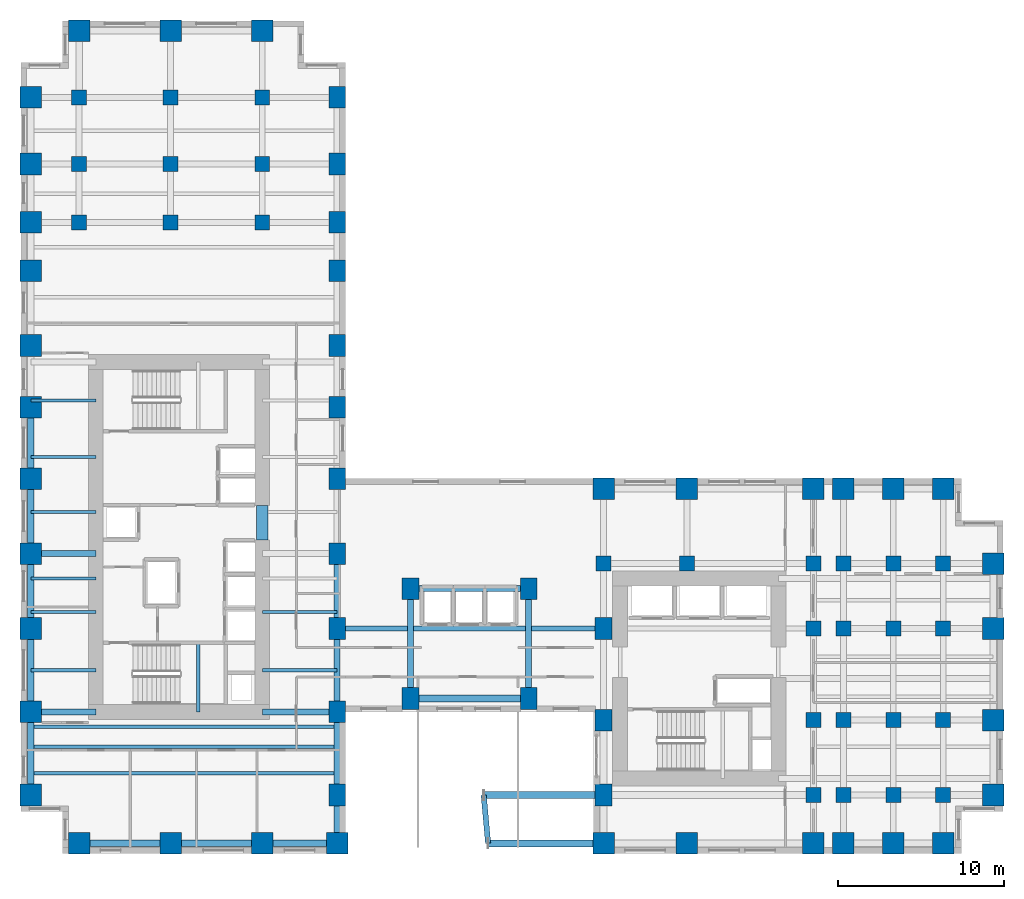
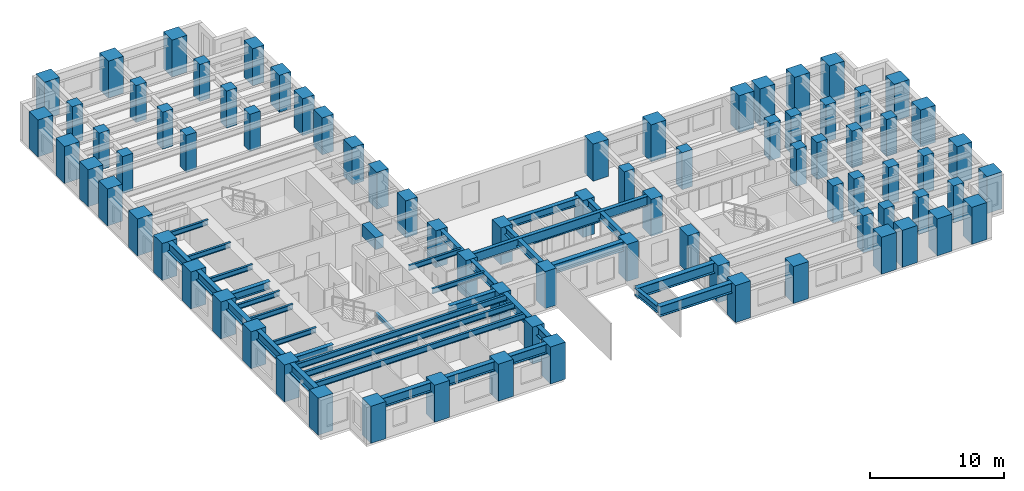
# One storey, part 1 of 14: 79 columns, 36 beams.
"""IFC4 building model written with IfcOpenShell, lengths in metres."""

from ifc_helpers import new_model, si_unit, direction, frame, origin, origin_2d, place, context, subcontext, project, spatial, rectangle, i_section, extrude, source, transform, mapped, material, material_profile, profile_set, type_object, element, save


model = new_model("IFC4")

# Units and contexts
model_context = context("Model", 3, precision=1e-05, world=origin(), true_north=direction((0.0, 1.0)))
body_context = subcontext(model_context, "Body", "Model", "MODEL_VIEW")
ifc_project = project(units=[si_unit("LENGTHUNIT", "METRE"), si_unit("AREAUNIT", "SQUARE_METRE"), si_unit("VOLUMEUNIT", "CUBIC_METRE"), si_unit("PLANEANGLEUNIT", "RADIAN"), si_unit("MASSUNIT", "GRAM", prefix="KILO")], contexts=[model_context])

# Site, building, storey
site_placement = place(None, origin())
site = spatial("IfcSite", under=ifc_project, at=site_placement, CompositionType="ELEMENT")
building_placement = place(site_placement, origin())
building = spatial("IfcBuilding", under=site, at=building_placement, Name="Kharzan Plaza Tower", CompositionType="ELEMENT")
storey_placement = place(building_placement, frame((0.0, 0.0, 29.699951171875)))
storey = spatial("IfcBuildingStorey", under=building, at=storey_placement, Name="L07", CompositionType="ELEMENT", Elevation=29.699951171875)

# Columns
ifc_material_1 = material(Name="Concrete C50/60", Category="concrete")
ifc_material_profile_1 = material_profile(ifc_material_1, rectangle(XDim=0.89990234375, YDim=0.89990234375, at=origin_2d()), Name="RC-IC900x900")
ifc_profile_set_1 = profile_set([ifc_material_profile_1], Name="Concrete C50/60")
column_type_1 = type_object("IfcColumnType", Name="COL-IC900", PredefinedType="COLUMN", material=ifc_profile_set_1)
shared_shape_1 = source(origin(), body_context, "Body", "SweptSolid", [
    extrude(rectangle(XDim=0.89990234375, YDim=0.89990234375, at=origin_2d()), origin(), (0.0, 0.0, 1.0), 3.380126953125),
])
for number, where, z_axis, x_axis, name in (
    (1, (47.60009765625, 13.5, 0.0), (0.0, 0.0, 1.0), (1.0, 0.0, 0.0), "L07 Structural Column TCBI-135"),
    (2, (47.60009765625, 3.5, 0.0), (0.0, 0.0, 1.0), (1.0, 0.0, 0.0), "L07 Structural Column TCBI-35"),
    (3, (47.60009765625, 8.0, 0.0), (0.0, 0.0, 1.0), (1.0, 0.0, 0.0), "L07 Structural Column TCBI-80"),
    (4, (35.0, 17.39990234375, 0.0), (0.0, 0.0, 1.0), (1.0, 0.0, 0.0), "L07 Structural Column TCBN-350-174"),
    (5, (40.0, 17.39990234375, 0.0), (0.0, 0.0, 1.0), (1.0, 0.0, 0.0), "L07 Structural Column TCBN-400-174"),
    (6, (47.60009765625, 17.39990234375, 0.0), (0.0, 0.0, 1.0), (1.0, 0.0, 0.0), "L07 Structural Column TCBN-476-174"),
    (7, (49.39990234375, 13.5, 0.0), (0.0, 0.0, 1.0), (1.0, 0.0, 0.0), "L07 Structural Column TCE-494-135"),
    (8, (49.39990234375, 17.39990234375, 0.0), (0.0, 0.0, 1.0), (1.0, 0.0, 0.0), "L07 Structural Column TCE-494-174"),
    (9, (49.39990234375, 3.5, 0.0), (0.0, 0.0, 1.0), (1.0, 0.0, 0.0), "L07 Structural Column TCE-494-35"),
    (10, (49.39990234375, 8.0, 0.0), (0.0, 0.0, 1.0), (1.0, 0.0, 0.0), "L07 Structural Column TCE-494-80"),
    (11, (52.39990234375, 13.5, 0.0), (0.0, 0.0, 1.0), (1.0, 0.0, 0.0), "L07 Structural Column TCE-524-135"),
    (12, (52.39990234375, 17.39990234375, 0.0), (0.0, 0.0, 1.0), (1.0, 0.0, 0.0), "L07 Structural Column TCE-524-174"),
    (13, (52.39990234375, 3.5, 0.0), (0.0, 0.0, 1.0), (1.0, 0.0, 0.0), "L07 Structural Column TCE-524-35"),
    (14, (52.39990234375, 8.0, 0.0), (0.0, 0.0, 1.0), (1.0, 0.0, 0.0), "L07 Structural Column TCE-524-80"),
    (15, (55.39990234375, 13.5, 0.0), (0.0, 0.0, 1.0), (1.0, 0.0, 0.0), "L07 Structural Column TCE-554-135"),
    (16, (55.39990234375, 17.39990234375, 0.0), (0.0, 0.0, 1.0), (1.0, 0.0, 0.0), "L07 Structural Column TCE-554-174"),
    (17, (55.39990234375, 3.5, 0.0), (0.0, 0.0, 1.0), (1.0, 0.0, 0.0), "L07 Structural Column TCE-554-35"),
    (18, (55.39990234375, 8.0, 0.0), (0.0, 0.0, 1.0), (1.0, 0.0, 0.0), "L07 Structural Column TCE-554-80"),
    (19, (14.5, 37.89990234375, 0.0), (0.0, 0.0, 1.0), (1.0, 0.0, 0.0), "L07 Structural Column TCN-145-379"),
    (20, (14.5, 41.39990234375, 0.0), (0.0, 0.0, 1.0), (1.0, 0.0, 0.0), "L07 Structural Column TCN-145-414"),
    (21, (14.5, 45.39990234375, 0.0), (0.0, 0.0, 1.0), (1.0, 0.0, 0.0), "L07 Structural Column TCN-145-454"),
    (22, (3.5, 37.89990234375, 0.0), (0.0, 0.0, 1.0), (1.0, 0.0, 0.0), "L07 Structural Column TCN-35-379"),
    (23, (3.5, 41.39990234375, 0.0), (0.0, 0.0, 1.0), (1.0, 0.0, 0.0), "L07 Structural Column TCN-35-414"),
    (24, (3.5, 45.39990234375, 0.0), (0.0, 0.0, 1.0), (1.0, 0.0, 0.0), "L07 Structural Column TCN-35-454"),
    (25, (9.0, 37.89990234375, 0.0), (0.0, 0.0, 1.0), (1.0, 0.0, 0.0), "L07 Structural Column TCN-90-379"),
    (26, (9.0, 41.39990234375, 0.0), (0.0, 0.0, 1.0), (1.0, 0.0, 0.0), "L07 Structural Column TCN-90-414"),
    (27, (9.0, 45.39990234375, 0.0), (0.0, 0.0, 1.0), (1.0, 0.0, 0.0), "L07 Structural Column TCN-90-454"),
):
    element("IfcColumn", number, at=place(storey_placement, frame(where, z_axis=z_axis, x_axis=x_axis)), inside=storey, type_object=column_type_1, Name=name, PredefinedType="COLUMN", context=body_context, shape_type="MappedRepresentation", body=[
        mapped(shared_shape_1, transform((0.0, 0.0, 0.0), x_axis=(1.0, 0.0, 0.0), y_axis=(0.0, 1.0, 0.0), z_axis=(0.0, 0.0, 1.0))),
    ])
ifc_material_2 = material(Name="Concrete C60/75", Category="concrete")
ifc_material_profile_2 = material_profile(ifc_material_2, rectangle(XDim=1.0, YDim=1.300048828125, at=origin_2d()), Name="RC-SC1300x1000")
ifc_profile_set_2 = profile_set([ifc_material_profile_2], Name="Concrete C60/75")
column_type_2 = type_object("IfcColumnType", Name="COL-SC1300", PredefinedType="COLUMN", material=ifc_profile_set_2)
shared_shape_2 = source(origin(), body_context, "Body", "SweptSolid", [
    extrude(rectangle(XDim=1.0, YDim=1.300048828125, at=origin_2d()), origin(), (0.0, 0.0, 1.0), 3.380126953125),
])
for number, where, z_axis, x_axis, name in (
    (28, (19.0, 13.5, 0.0), (0.0, 0.0, 1.0), (1.0, 0.0, 0.0), "L07 Structural Column TCA-135"),
    (29, (19.0, 18.0, 0.0), (0.0, 0.0, 1.0), (1.0, 0.0, 0.0), "L07 Structural Column TCA-180"),
    (30, (19.0, 22.5, 0.0), (0.0, 0.0, 1.0), (1.0, 0.0, 0.0), "L07 Structural Column TCA-225"),
    (31, (19.0, 26.800048828125, 0.0), (0.0, 0.0, 1.0), (1.0, 0.0, 0.0), "L07 Structural Column TCA-268"),
    (32, (19.0, 30.5, 0.0), (0.0, 0.0, 1.0), (1.0, 0.0, 0.0), "L07 Structural Column TCA-305"),
    (33, (19.0, 3.5, 0.0), (0.0, 0.0, 1.0), (1.0, 0.0, 0.0), "L07 Structural Column TCA-35"),
    (34, (19.0, 35.0, 0.0), (0.0, 0.0, 1.0), (1.0, 0.0, 0.0), "L07 Structural Column TCA-350"),
    (35, (19.0, 37.89990234375, 0.0), (0.0, 0.0, 1.0), (1.0, 0.0, 0.0), "L07 Structural Column TCA-379"),
    (36, (19.0, 41.39990234375, 0.0), (0.0, 0.0, 1.0), (1.0, 0.0, 0.0), "L07 Structural Column TCA-414"),
    (37, (19.0, 45.39990234375, 0.0), (0.0, 0.0, 1.0), (1.0, 0.0, 0.0), "L07 Structural Column TCA-454"),
    (38, (19.0, 8.5, 0.0), (0.0, 0.0, 1.0), (1.0, 0.0, 0.0), "L07 Structural Column TCA-85"),
    (39, (35.0, 13.5, 0.0), (0.0, 0.0, 1.0), (1.0, 0.0, 0.0), "L07 Structural Column TCBS-135"),
    (40, (35.0, 3.5, 0.0), (0.0, 0.0, 1.0), (1.0, 0.0, 0.0), "L07 Structural Column TCBS-35"),
    (41, (35.0, 8.0, 0.0), (0.0, 0.0, 1.0), (1.0, 0.0, 0.0), "L07 Structural Column TCBS-80"),
    (42, (23.39990234375, 15.89990234375, 0.0), (0.0, 0.0, 1.0), (1.0, 0.0, 0.0), "L07 Structural Column TCSP-234-159"),
    (43, (23.39990234375, 9.300048828125, 0.0), (0.0, 0.0, 1.0), (1.0, 0.0, 0.0), "L07 Structural Column TCSP-234-93"),
    (44, (30.5, 15.89990234375, 0.0), (0.0, 0.0, 1.0), (1.0, 0.0, 0.0), "L07 Structural Column TCSP-305-159"),
    (45, (30.5, 9.300048828125, 0.0), (0.0, 0.0, 1.0), (1.0, 0.0, 0.0), "L07 Structural Column TCSP-305-93"),
):
    element("IfcColumn", number, at=place(storey_placement, frame(where, z_axis=z_axis, x_axis=x_axis)), inside=storey, type_object=column_type_2, Name=name, PredefinedType="COLUMN", context=body_context, shape_type="MappedRepresentation", body=[
        mapped(shared_shape_2, transform((0.0, 0.0, 0.0), x_axis=(1.0, 0.0, 0.0), y_axis=(0.0, 1.0, 0.0), z_axis=(0.0, 0.0, 1.0))),
    ])
ifc_material_profile_3 = material_profile(ifc_material_2, rectangle(XDim=1.300048828125, YDim=1.300048828125, at=origin_2d()), Name="RC-TC1300x1300")
ifc_profile_set_3 = profile_set([ifc_material_profile_3], Name="Concrete C60/75")
column_type_3 = type_object("IfcColumnType", Name="COL-TC1300", PredefinedType="COLUMN", material=ifc_profile_set_3)
shared_shape_3 = source(origin(), body_context, "Body", "SweptSolid", [
    extrude(rectangle(XDim=1.300048828125, YDim=1.300048828125, at=origin_2d()), origin(), (0.0, 0.0, 1.0), 3.380126953125),
])
for number, where, z_axis, x_axis, name in (
    (46, (35.0, 21.89990234375, 0.0), (0.0, 0.0, 1.0), (1.0, 0.0, 0.0), "L07 Structural Column TCBN-350-219"),
    (47, (40.0, 21.89990234375, 0.0), (0.0, 0.0, 1.0), (1.0, 0.0, 0.0), "L07 Structural Column TCBN-400-219"),
    (48, (47.60009765625, 21.89990234375, 0.0), (0.0, 0.0, 1.0), (1.0, 0.0, 0.0), "L07 Structural Column TCBN-476-219"),
    (49, (49.39990234375, 21.89990234375, 0.0), (0.0, 0.0, 1.0), (1.0, 0.0, 0.0), "L07 Structural Column TCBN-494-219"),
    (50, (52.39990234375, 21.89990234375, 0.0), (0.0, 0.0, 1.0), (1.0, 0.0, 0.0), "L07 Structural Column TCBN-524-219"),
    (51, (55.39990234375, 21.89990234375, 0.0), (0.0, 0.0, 1.0), (1.0, 0.0, 0.0), "L07 Structural Column TCBN-554-219"),
    (52, (58.39990234375, 13.5, 0.0), (0.0, 0.0, 1.0), (1.0, 0.0, 0.0), "L07 Structural Column TCE-584-135"),
    (53, (58.39990234375, 17.39990234375, 0.0), (0.0, 0.0, 1.0), (1.0, 0.0, 0.0), "L07 Structural Column TCE-584-174"),
    (54, (58.39990234375, 3.5, 0.0), (0.0, 0.0, 1.0), (1.0, 0.0, 0.0), "L07 Structural Column TCE-584-35"),
    (55, (58.39990234375, 8.0, 0.0), (0.0, 0.0, 1.0), (1.0, 0.0, 0.0), "L07 Structural Column TCE-584-80"),
    (56, (14.5, 49.39990234375, 0.0), (0.0, 0.0, 1.0), (1.0, 0.0, 0.0), "L07 Structural Column TCN-145-494"),
    (57, (3.5, 49.39990234375, 0.0), (0.0, 0.0, 1.0), (1.0, 0.0, 0.0), "L07 Structural Column TCN-35-494"),
    (58, (9.0, 49.39990234375, 0.0), (0.0, 0.0, 1.0), (1.0, 0.0, 0.0), "L07 Structural Column TCN-90-494"),
    (59, (14.5, 0.60009765625, 0.0), (0.0, 0.0, 1.0), (1.0, 0.0, 0.0), "L07 Structural Column TCS-145"),
    (60, (19.0, 0.60009765625, 0.0), (0.0, 0.0, 1.0), (1.0, 0.0, 0.0), "L07 Structural Column TCS-190"),
    (61, (3.5, 0.60009765625, 0.0), (0.0, 0.0, 1.0), (1.0, 0.0, 0.0), "L07 Structural Column TCS-35"),
    (62, (35.0, 0.60009765625, 0.0), (0.0, 0.0, 1.0), (1.0, 0.0, 0.0), "L07 Structural Column TCS-350"),
    (63, (40.0, 0.60009765625, 0.0), (0.0, 0.0, 1.0), (1.0, 0.0, 0.0), "L07 Structural Column TCS-400"),
    (64, (47.60009765625, 0.60009765625, 0.0), (0.0, 0.0, 1.0), (1.0, 0.0, 0.0), "L07 Structural Column TCS-476"),
    (65, (49.39990234375, 0.60009765625, 0.0), (0.0, 0.0, 1.0), (1.0, 0.0, 0.0), "L07 Structural Column TCS-494"),
    (66, (52.39990234375, 0.60009765625, 0.0), (0.0, 0.0, 1.0), (1.0, 0.0, 0.0), "L07 Structural Column TCS-524"),
    (67, (55.39990234375, 0.60009765625, 0.0), (0.0, 0.0, 1.0), (1.0, 0.0, 0.0), "L07 Structural Column TCS-554"),
    (68, (9.0, 0.60009765625, 0.0), (0.0, 0.0, 1.0), (1.0, 0.0, 0.0), "L07 Structural Column TCS-90"),
    (69, (0.60009765625, 13.5, 0.0), (0.0, 0.0, 1.0), (1.0, 0.0, 0.0), "L07 Structural Column TCW-135"),
    (70, (0.60009765625, 18.0, 0.0), (0.0, 0.0, 1.0), (1.0, 0.0, 0.0), "L07 Structural Column TCW-180"),
    (71, (0.60009765625, 22.5, 0.0), (0.0, 0.0, 1.0), (1.0, 0.0, 0.0), "L07 Structural Column TCW-225"),
    (72, (0.60009765625, 26.800048828125, 0.0), (0.0, 0.0, 1.0), (1.0, 0.0, 0.0), "L07 Structural Column TCW-268"),
    (73, (0.60009765625, 30.5, 0.0), (0.0, 0.0, 1.0), (1.0, 0.0, 0.0), "L07 Structural Column TCW-305"),
    (74, (0.60009765625, 3.5, 0.0), (0.0, 0.0, 1.0), (1.0, 0.0, 0.0), "L07 Structural Column TCW-35"),
    (75, (0.60009765625, 35.0, 0.0), (0.0, 0.0, 1.0), (1.0, 0.0, 0.0), "L07 Structural Column TCW-350"),
    (76, (0.60009765625, 37.89990234375, 0.0), (0.0, 0.0, 1.0), (1.0, 0.0, 0.0), "L07 Structural Column TCW-379"),
    (77, (0.60009765625, 41.39990234375, 0.0), (0.0, 0.0, 1.0), (1.0, 0.0, 0.0), "L07 Structural Column TCW-414"),
    (78, (0.60009765625, 45.39990234375, 0.0), (0.0, 0.0, 1.0), (1.0, 0.0, 0.0), "L07 Structural Column TCW-454"),
    (79, (0.60009765625, 8.5, 0.0), (0.0, 0.0, 1.0), (1.0, 0.0, 0.0), "L07 Structural Column TCW-85"),
):
    element("IfcColumn", number, at=place(storey_placement, frame(where, z_axis=z_axis, x_axis=x_axis)), inside=storey, type_object=column_type_3, Name=name, PredefinedType="COLUMN", context=body_context, shape_type="MappedRepresentation", body=[
        mapped(shared_shape_3, transform((0.0, 0.0, 0.0), x_axis=(1.0, 0.0, 0.0), y_axis=(0.0, 1.0, 0.0), z_axis=(0.0, 0.0, 1.0))),
    ])

# Beams
ifc_material_profile_4 = material_profile(ifc_material_2, rectangle(XDim=0.699951171875, YDim=1.10009765625, at=origin_2d()), Name="RC-CB1100x700")
ifc_profile_set_4 = profile_set([ifc_material_profile_4], Name="Concrete C60/75")
beam_type_1 = type_object("IfcBeamType", Name="BM-RCCB1100", PredefinedType="LINTEL", material=ifc_profile_set_4)
shared_shape_4 = source(origin(), body_context, "Body", "SweptSolid", [
    extrude(rectangle(XDim=0.699951171875, YDim=1.10009765625, at=origin_2d()), origin(), (0.0, 0.0, 1.0), 2.059814453125),
])
beam_1_placement = place(storey_placement, frame((14.5, 18.820068359375, 2.830078125), z_axis=(0.0, 1.0, 0.0), x_axis=(-1.0, 0.0, 0.0)))
element("IfcBeam", 80, at=beam_1_placement, inside=storey, type_object=beam_type_1, Name="L07 CORE-A RC coupling beam CB1", PredefinedType="LINTEL", context=body_context, shape_type="MappedRepresentation", body=[
    mapped(shared_shape_4, transform((0.0, 0.0, 0.0), x_axis=(1.0, 0.0, 0.0), y_axis=(0.0, 1.0, 0.0), z_axis=(0.0, 0.0, 1.0))),
])
ifc_material_3 = material(Name="Steel S355", Category="steel")
ifc_material_profile_5 = material_profile(ifc_material_3, i_section(OverallWidth=0.205078125, OverallDepth=0.35400390625, WebThickness=0.009521484375, FlangeThickness=0.016845703125, at=origin_2d()), Name="W360x79")
ifc_profile_set_5 = profile_set([ifc_material_profile_5], Name="Steel S355")
beam_type_2 = type_object("IfcBeamType", Name="BM-LNT360", PredefinedType="LINTEL", material=ifc_profile_set_5)
shared_shape_5 = source(origin(), body_context, "Body", "SweptSolid", [
    extrude(i_section(OverallWidth=0.205078125, OverallDepth=0.35400390625, WebThickness=0.009521484375, FlangeThickness=0.016845703125, at=origin_2d()), origin(), (0.0, 0.0, 1.0), 4.155029296875),
])
beam_2_placement = place(storey_placement, frame((10.64990234375, 8.5, 1.423095703125), z_axis=(0.0, 1.0, 0.0), x_axis=(-1.0, 0.0, 0.0)))
element("IfcBeam", 81, at=beam_2_placement, inside=storey, type_object=beam_type_2, Name="L07 Stair ST-1 Half-Landing Beam", PredefinedType="LINTEL", context=body_context, shape_type="MappedRepresentation", body=[
    mapped(shared_shape_5, transform((0.0, 0.0, 0.0), x_axis=(1.0, 0.0, 0.0), y_axis=(0.0, 1.0, 0.0), z_axis=(0.0, 0.0, 1.0))),
])
ifc_material_profile_6 = material_profile(ifc_material_3, i_section(OverallWidth=0.304931640625, OverallDepth=0.9189453125, WebThickness=0.017333984375, FlangeThickness=0.02783203125, at=origin_2d()), Name="W920x253")
ifc_profile_set_6 = profile_set([ifc_material_profile_6], Name="Steel S355")
beam_type_3 = type_object("IfcBeamType", Name="BM-FG920B", PredefinedType="BEAM", material=ifc_profile_set_6)
shared_shape_6 = source(origin(), body_context, "Body", "SweptSolid", [
    extrude(i_section(OverallWidth=0.304931640625, OverallDepth=0.9189453125, WebThickness=0.017333984375, FlangeThickness=0.02783203125, at=origin_2d()), origin(), (0.0, 0.0, 1.0), 16.0),
])
beam_3_placement = place(storey_placement, frame((19.0, 13.5, 2.920654296875), z_axis=(1.0, 0.0, 0.0), x_axis=(0.0, 1.0, 0.0)))
element("IfcBeam", 82, at=beam_3_placement, inside=storey, type_object=beam_type_3, Name="L07 Primary Floor Girder", PredefinedType="BEAM", context=body_context, shape_type="MappedRepresentation", body=[
    mapped(shared_shape_6, transform((0.0, 0.0, 0.0), x_axis=(1.0, 0.0, 0.0), y_axis=(0.0, 1.0, 0.0), z_axis=(0.0, 0.0, 1.0))),
])
ifc_material_profile_7 = material_profile(ifc_material_3, i_section(OverallWidth=0.35498046875, OverallDepth=0.695068359375, WebThickness=0.015380859375, FlangeThickness=0.02490234375, at=origin_2d()), Name="W690x217")
ifc_profile_set_7 = profile_set([ifc_material_profile_7], Name="Steel S355")
beam_type_4 = type_object("IfcBeamType", Name="BM-FG690A", PredefinedType="BEAM", material=ifc_profile_set_7)
shared_shape_7 = source(origin(), body_context, "Body", "SweptSolid", [
    extrude(i_section(OverallWidth=0.35498046875, OverallDepth=0.695068359375, WebThickness=0.015380859375, FlangeThickness=0.02490234375, at=origin_2d()), origin(), (0.0, 0.0, 1.0), 4.5),
])
for number, where, z_axis, x_axis, name in (
    (83, (14.5, 8.5, 3.032470703125), (1.0, 0.0, 0.0), (0.0, 1.0, 0.0), "L07 Core-A East Floor Girder 1"),
    (84, (19.0, 13.5, 3.032470703125), (0.0, 1.0, 0.0), (-1.0, 0.0, 0.0), "L07 Interior Frame Girder"),
):
    element("IfcBeam", number, at=place(storey_placement, frame(where, z_axis=z_axis, x_axis=x_axis)), inside=storey, type_object=beam_type_4, Name=name, PredefinedType="BEAM", context=body_context, shape_type="MappedRepresentation", body=[
        mapped(shared_shape_7, transform((0.0, 0.0, 0.0), x_axis=(1.0, 0.0, 0.0), y_axis=(0.0, 1.0, 0.0), z_axis=(0.0, 0.0, 1.0))),
    ])
shared_shape_8 = source(origin(), body_context, "Body", "SweptSolid", [
    extrude(i_section(OverallWidth=0.35498046875, OverallDepth=0.695068359375, WebThickness=0.015380859375, FlangeThickness=0.02490234375, at=origin_2d()), origin(), (0.0, 0.0, 1.0), 3.89990234375),
])
for number, where, z_axis, x_axis, name in (
    (85, (0.60009765625, 8.5, 3.032470703125), (1.0, 0.0, 0.0), (0.0, 1.0, 0.0), "L07 Core-A West Floor Girder 1"),
    (86, (0.60009765625, 18.0, 3.032470703125), (1.0, 0.0, 0.0), (0.0, 1.0, 0.0), "L07 Core-A West Floor Girder 2"),
):
    element("IfcBeam", number, at=place(storey_placement, frame(where, z_axis=z_axis, x_axis=x_axis)), inside=storey, type_object=beam_type_4, Name=name, PredefinedType="BEAM", context=body_context, shape_type="MappedRepresentation", body=[
        mapped(shared_shape_8, transform((0.0, 0.0, 0.0), x_axis=(1.0, 0.0, 0.0), y_axis=(0.0, 1.0, 0.0), z_axis=(0.0, 0.0, 1.0))),
    ])
shared_shape_9 = source(origin(), body_context, "Body", "SweptSolid", [
    extrude(i_section(OverallWidth=0.35498046875, OverallDepth=0.695068359375, WebThickness=0.015380859375, FlangeThickness=0.02490234375, at=origin_2d()), origin(), (0.0, 0.0, 1.0), 5.0),
])
beam_4_placement = place(storey_placement, frame((19.0, 8.5, 3.032470703125), z_axis=(0.0, 1.0, 0.0), x_axis=(-1.0, 0.0, 0.0)))
element("IfcBeam", 87, at=beam_4_placement, inside=storey, type_object=beam_type_4, Name="L07 Interior Frame Girder", PredefinedType="BEAM", context=body_context, shape_type="MappedRepresentation", body=[
    mapped(shared_shape_9, transform((0.0, 0.0, 0.0), x_axis=(1.0, 0.0, 0.0), y_axis=(0.0, 1.0, 0.0), z_axis=(0.0, 0.0, 1.0))),
])
shared_shape_10 = source(origin(), body_context, "Body", "SweptSolid", [
    extrude(i_section(OverallWidth=0.35498046875, OverallDepth=0.695068359375, WebThickness=0.015380859375, FlangeThickness=0.02490234375, at=origin_2d()), origin(), (0.0, 0.0, 1.0), 6.599853515625),
])
for number, where, z_axis, x_axis, name in (
    (88, (23.39990234375, 9.300048828125, 3.032470703125), (0.0, 1.0, 0.0), (-1.0, 0.0, 0.0), "L07 Interior Frame Girder"),
    (89, (30.5, 9.300048828125, 3.032470703125), (0.0, 1.0, 0.0), (-1.0, 0.0, 0.0), "L07 Interior Frame Girder"),
):
    element("IfcBeam", number, at=place(storey_placement, frame(where, z_axis=z_axis, x_axis=x_axis)), inside=storey, type_object=beam_type_4, Name=name, PredefinedType="BEAM", context=body_context, shape_type="MappedRepresentation", body=[
        mapped(shared_shape_10, transform((0.0, 0.0, 0.0), x_axis=(1.0, 0.0, 0.0), y_axis=(0.0, 1.0, 0.0), z_axis=(0.0, 0.0, 1.0))),
    ])
shared_shape_11 = source(origin(), body_context, "Body", "SweptSolid", [
    extrude(i_section(OverallWidth=0.35498046875, OverallDepth=0.695068359375, WebThickness=0.015380859375, FlangeThickness=0.02490234375, at=origin_2d()), origin(), (0.0, 0.0, 1.0), 7.10009765625),
])
beam_5_placement = place(storey_placement, frame((23.39990234375, 15.89990234375, 3.032470703125), z_axis=(1.0, 0.0, 0.0), x_axis=(0.0, 1.0, 0.0)))
element("IfcBeam", 90, at=beam_5_placement, inside=storey, type_object=beam_type_4, Name="L07 Primary Floor Girder", PredefinedType="BEAM", context=body_context, shape_type="MappedRepresentation", body=[
    mapped(shared_shape_11, transform((0.0, 0.0, 0.0), x_axis=(1.0, 0.0, 0.0), y_axis=(0.0, 1.0, 0.0), z_axis=(0.0, 0.0, 1.0))),
])
ifc_material_profile_8 = material_profile(ifc_material_3, i_section(OverallWidth=0.2099609375, OverallDepth=0.537109375, WebThickness=0.010986328125, FlangeThickness=0.017333984375, at=origin_2d()), Name="W530x101")
ifc_profile_set_8 = profile_set([ifc_material_profile_8], Name="Steel S355")
beam_type_5 = type_object("IfcBeamType", Name="BM-JST530B", PredefinedType="JOIST", material=ifc_profile_set_8)
shared_shape_12 = source(origin(), body_context, "Body", "SweptSolid", [
    extrude(i_section(OverallWidth=0.2099609375, OverallDepth=0.537109375, WebThickness=0.010986328125, FlangeThickness=0.017333984375, at=origin_2d()), origin(), (0.0, 0.0, 1.0), 18.39990234375),
])
for number, where, z_axis, x_axis, name in (
    (91, (0.60009765625, 4.800048828125, 3.111572265625), (1.0, 0.0, 0.0), (0.0, 1.0, 0.0), "L07 Wing A Composite Joist 01"),
    (92, (0.60009765625, 6.39990234375, 3.111572265625), (1.0, 0.0, 0.0), (0.0, 1.0, 0.0), "L07 Wing A Composite Joist 02"),
    (93, (0.60009765625, 7.60009765625, 3.111572265625), (1.0, 0.0, 0.0), (0.0, 1.0, 0.0), "L07 Wing A Composite Joist 03"),
):
    element("IfcBeam", number, at=place(storey_placement, frame(where, z_axis=z_axis, x_axis=x_axis)), inside=storey, type_object=beam_type_5, Name=name, PredefinedType="JOIST", context=body_context, shape_type="MappedRepresentation", body=[
        mapped(shared_shape_12, transform((0.0, 0.0, 0.0), x_axis=(1.0, 0.0, 0.0), y_axis=(0.0, 1.0, 0.0), z_axis=(0.0, 0.0, 1.0))),
    ])
ifc_material_profile_9 = material_profile(ifc_material_3, i_section(OverallWidth=0.194091796875, OverallDepth=0.468994140625, WebThickness=0.011474609375, FlangeThickness=0.0205078125, at=origin_2d()), Name="W460x106")
ifc_profile_set_9 = profile_set([ifc_material_profile_9], Name="Steel S355")
beam_type_6 = type_object("IfcBeamType", Name="BM-JST460", PredefinedType="JOIST", material=ifc_profile_set_9)
shared_shape_13 = source(origin(), body_context, "Body", "SweptSolid", [
    extrude(i_section(OverallWidth=0.194091796875, OverallDepth=0.468994140625, WebThickness=0.011474609375, FlangeThickness=0.0205078125, at=origin_2d()), origin(), (0.0, 0.0, 1.0), 4.5),
])
for number, where, z_axis, x_axis, name in (
    (94, (14.5, 11.0, 3.1455078125), (1.0, 0.0, 0.0), (0.0, 1.0, 0.0), "L07 Wing A East Infill Joist 1"),
    (95, (14.5, 14.5, 3.1455078125), (1.0, 0.0, 0.0), (0.0, 1.0, 0.0), "L07 Wing A East Infill Joist 2"),
):
    element("IfcBeam", number, at=place(storey_placement, frame(where, z_axis=z_axis, x_axis=x_axis)), inside=storey, type_object=beam_type_6, Name=name, PredefinedType="JOIST", context=body_context, shape_type="MappedRepresentation", body=[
        mapped(shared_shape_13, transform((0.0, 0.0, 0.0), x_axis=(1.0, 0.0, 0.0), y_axis=(0.0, 1.0, 0.0), z_axis=(0.0, 0.0, 1.0))),
    ])
shared_shape_14 = source(origin(), body_context, "Body", "SweptSolid", [
    extrude(i_section(OverallWidth=0.194091796875, OverallDepth=0.468994140625, WebThickness=0.011474609375, FlangeThickness=0.0205078125, at=origin_2d()), origin(), (0.0, 0.0, 1.0), 3.89990234375),
])
for number, where, z_axis, x_axis, name in (
    (96, (0.60009765625, 11.0, 3.1455078125), (1.0, 0.0, 0.0), (0.0, 1.0, 0.0), "L07 Wing A West Infill Joist 1"),
    (97, (0.60009765625, 14.5, 3.1455078125), (1.0, 0.0, 0.0), (0.0, 1.0, 0.0), "L07 Wing A West Infill Joist 2"),
    (98, (0.60009765625, 16.5, 3.1455078125), (1.0, 0.0, 0.0), (0.0, 1.0, 0.0), "L07 Wing A West Infill Joist 3"),
    (99, (0.60009765625, 20.5, 3.1455078125), (1.0, 0.0, 0.0), (0.0, 1.0, 0.0), "L07 Wing A West Infill Joist 4"),
    (100, (0.60009765625, 23.800048828125, 3.1455078125), (1.0, 0.0, 0.0), (0.0, 1.0, 0.0), "L07 Wing A West Infill Joist 5"),
    (101, (0.60009765625, 27.199951171875, 3.1455078125), (1.0, 0.0, 0.0), (0.0, 1.0, 0.0), "L07 Wing A West Infill Joist 6"),
):
    element("IfcBeam", number, at=place(storey_placement, frame(where, z_axis=z_axis, x_axis=x_axis)), inside=storey, type_object=beam_type_6, Name=name, PredefinedType="JOIST", context=body_context, shape_type="MappedRepresentation", body=[
        mapped(shared_shape_14, transform((0.0, 0.0, 0.0), x_axis=(1.0, 0.0, 0.0), y_axis=(0.0, 1.0, 0.0), z_axis=(0.0, 0.0, 1.0))),
    ])
ifc_material_profile_10 = material_profile(ifc_material_3, i_section(OverallWidth=0.40087890625, OverallDepth=0.85498046875, WebThickness=0.018310546875, FlangeThickness=0.029296875, at=origin_2d()), Name="W840x299")
ifc_profile_set_10 = profile_set([ifc_material_profile_10], Name="Steel S355")
beam_type_7 = type_object("IfcBeamType", Name="BM-SP840A", PredefinedType="SPANDREL", material=ifc_profile_set_10)
shared_shape_15 = source(origin(), body_context, "Body", "SweptSolid", [
    extrude(i_section(OverallWidth=0.40087890625, OverallDepth=0.85498046875, WebThickness=0.018310546875, FlangeThickness=0.029296875, at=origin_2d()), origin(), (0.0, 0.0, 1.0), 5.0),
])
for number, where, z_axis, x_axis, name in (
    (102, (0.60009765625, 3.5, 2.95263671875), (0.0, 1.0, 0.0), (-1.0, 0.0, 0.0), "L07 Perimeter Tube Spandrel"),
    (103, (0.60009765625, 8.5, 2.95263671875), (0.0, 1.0, 0.0), (-1.0, 0.0, 0.0), "L07 Perimeter Tube Spandrel"),
    (104, (19.0, 3.5, 2.95263671875), (0.0, 1.0, 0.0), (-1.0, 0.0, 0.0), "L07 Perimeter Tube Spandrel"),
):
    element("IfcBeam", number, at=place(storey_placement, frame(where, z_axis=z_axis, x_axis=x_axis)), inside=storey, type_object=beam_type_7, Name=name, PredefinedType="SPANDREL", context=body_context, shape_type="MappedRepresentation", body=[
        mapped(shared_shape_15, transform((0.0, 0.0, 0.0), x_axis=(1.0, 0.0, 0.0), y_axis=(0.0, 1.0, 0.0), z_axis=(0.0, 0.0, 1.0))),
    ])
shared_shape_16 = source(origin(), body_context, "Body", "SweptSolid", [
    extrude(i_section(OverallWidth=0.40087890625, OverallDepth=0.85498046875, WebThickness=0.018310546875, FlangeThickness=0.029296875, at=origin_2d()), origin(), (0.0, 0.0, 1.0), 4.5),
])
for number, where, z_axis, x_axis, name in (
    (105, (0.60009765625, 13.5, 2.95263671875), (0.0, 1.0, 0.0), (-1.0, 0.0, 0.0), "L07 Perimeter Tube Spandrel"),
    (106, (0.60009765625, 18.0, 2.95263671875), (0.0, 1.0, 0.0), (-1.0, 0.0, 0.0), "L07 Perimeter Tube Spandrel"),
    (107, (14.5, 0.60009765625, 2.95263671875), (1.0, 0.0, 0.0), (0.0, 1.0, 0.0), "L07 Perimeter Tube Spandrel"),
):
    element("IfcBeam", number, at=place(storey_placement, frame(where, z_axis=z_axis, x_axis=x_axis)), inside=storey, type_object=beam_type_7, Name=name, PredefinedType="SPANDREL", context=body_context, shape_type="MappedRepresentation", body=[
        mapped(shared_shape_16, transform((0.0, 0.0, 0.0), x_axis=(1.0, 0.0, 0.0), y_axis=(0.0, 1.0, 0.0), z_axis=(0.0, 0.0, 1.0))),
    ])
shared_shape_17 = source(origin(), body_context, "Body", "SweptSolid", [
    extrude(i_section(OverallWidth=0.40087890625, OverallDepth=0.85498046875, WebThickness=0.018310546875, FlangeThickness=0.029296875, at=origin_2d()), origin(), (0.0, 0.0, 1.0), 4.300048828125),
])
beam_6_placement = place(storey_placement, frame((0.60009765625, 22.5, 2.95263671875), z_axis=(0.0, 1.0, 0.0), x_axis=(-1.0, 0.0, 0.0)))
element("IfcBeam", 108, at=beam_6_placement, inside=storey, type_object=beam_type_7, Name="L07 Perimeter Tube Spandrel", PredefinedType="SPANDREL", context=body_context, shape_type="MappedRepresentation", body=[
    mapped(shared_shape_17, transform((0.0, 0.0, 0.0), x_axis=(1.0, 0.0, 0.0), y_axis=(0.0, 1.0, 0.0), z_axis=(0.0, 0.0, 1.0))),
])
shared_shape_18 = source(origin(), body_context, "Body", "SweptSolid", [
    extrude(i_section(OverallWidth=0.40087890625, OverallDepth=0.85498046875, WebThickness=0.018310546875, FlangeThickness=0.029296875, at=origin_2d()), origin(), (0.0, 0.0, 1.0), 2.89990234375),
])
beam_7_placement = place(storey_placement, frame((19.0, 0.60009765625, 2.95263671875), z_axis=(0.0, 1.0, 0.0), x_axis=(-1.0, 0.0, 0.0)))
element("IfcBeam", 109, at=beam_7_placement, inside=storey, type_object=beam_type_7, Name="L07 Perimeter Tube Spandrel", PredefinedType="SPANDREL", context=body_context, shape_type="MappedRepresentation", body=[
    mapped(shared_shape_18, transform((0.0, 0.0, 0.0), x_axis=(1.0, 0.0, 0.0), y_axis=(0.0, 1.0, 0.0), z_axis=(0.0, 0.0, 1.0))),
])
shared_shape_19 = source(origin(), body_context, "Body", "SweptSolid", [
    extrude(i_section(OverallWidth=0.40087890625, OverallDepth=0.85498046875, WebThickness=0.018310546875, FlangeThickness=0.029296875, at=origin_2d()), origin(), (0.0, 0.0, 1.0), 5.5),
])
for number, where, z_axis, x_axis, name in (
    (110, (3.5, 0.60009765625, 2.95263671875), (1.0, 0.0, 0.0), (0.0, 1.0, 0.0), "L07 Perimeter Tube Spandrel"),
    (111, (9.0, 0.60009765625, 2.95263671875), (1.0, 0.0, 0.0), (0.0, 1.0, 0.0), "L07 Perimeter Tube Spandrel"),
):
    element("IfcBeam", number, at=place(storey_placement, frame(where, z_axis=z_axis, x_axis=x_axis)), inside=storey, type_object=beam_type_7, Name=name, PredefinedType="SPANDREL", context=body_context, shape_type="MappedRepresentation", body=[
        mapped(shared_shape_19, transform((0.0, 0.0, 0.0), x_axis=(1.0, 0.0, 0.0), y_axis=(0.0, 1.0, 0.0), z_axis=(0.0, 0.0, 1.0))),
    ])
shared_shape_20 = source(origin(), body_context, "Body", "SweptSolid", [
    extrude(i_section(OverallWidth=0.40087890625, OverallDepth=0.85498046875, WebThickness=0.018310546875, FlangeThickness=0.029296875, at=origin_2d()), origin(), (0.0, 0.0, 1.0), 7.10009765625),
])
beam_8_placement = place(storey_placement, frame((23.39990234375, 9.300048828125, 2.95263671875), z_axis=(1.0, 0.0, 0.0), x_axis=(0.0, 1.0, 0.0)))
element("IfcBeam", 112, at=beam_8_placement, inside=storey, type_object=beam_type_7, Name="L07 Perimeter Tube Spandrel", PredefinedType="SPANDREL", context=body_context, shape_type="MappedRepresentation", body=[
    mapped(shared_shape_20, transform((0.0, 0.0, 0.0), x_axis=(1.0, 0.0, 0.0), y_axis=(0.0, 1.0, 0.0), z_axis=(0.0, 0.0, 1.0))),
])
ifc_material_profile_11 = material_profile(ifc_material_3, i_section(OverallWidth=0.41796875, OverallDepth=0.93701171875, WebThickness=0.019287109375, FlangeThickness=0.031982421875, at=origin_2d()), Name="W920x342")
ifc_profile_set_11 = profile_set([ifc_material_profile_11], Name="Steel S355")
beam_type_8 = type_object("IfcBeamType", Name="BM-ZTG920", PredefinedType="BEAM", material=ifc_profile_set_11)
shared_shape_21 = source(origin(), body_context, "Body", "SweptSolid", [
    extrude(i_section(OverallWidth=0.41796875, OverallDepth=0.93701171875, WebThickness=0.019287109375, FlangeThickness=0.031982421875, at=origin_2d()), origin(), (0.0, 0.0, 1.0), 7.199951171875),
])
beam_9_placement = place(storey_placement, frame((35.0, 3.5, 2.91162109375), z_axis=(-1.0, 0.0, 0.0), x_axis=(0.0, -1.0, 0.0)))
element("IfcBeam", 113, at=beam_9_placement, inside=storey, type_object=beam_type_8, Name="L07 Sky-Terrace Cantilever Girder ZTG1 (L08 G2)", PredefinedType="BEAM", context=body_context, shape_type="MappedRepresentation", body=[
    mapped(shared_shape_21, transform((0.0, 0.0, 0.0), x_axis=(1.0, 0.0, 0.0), y_axis=(0.0, 1.0, 0.0), z_axis=(0.0, 0.0, 1.0))),
])
shared_shape_22 = source(origin(), body_context, "Body", "SweptSolid", [
    extrude(i_section(OverallWidth=0.41796875, OverallDepth=0.93701171875, WebThickness=0.019287109375, FlangeThickness=0.031982421875, at=origin_2d()), origin(), (0.0, 0.0, 1.0), 6.93603515625),
])
beam_10_placement = place(storey_placement, frame((35.0, 0.60009765625, 2.91162109375), z_axis=(-1.0, 0.0, 0.0), x_axis=(0.0, -1.0, 0.0)))
element("IfcBeam", 114, at=beam_10_placement, inside=storey, type_object=beam_type_8, Name="L07 Sky-Terrace Cantilever Girder ZTG1 (L08 G1)", PredefinedType="BEAM", context=body_context, shape_type="MappedRepresentation", body=[
    mapped(shared_shape_22, transform((0.0, 0.0, 0.0), x_axis=(1.0, 0.0, 0.0), y_axis=(0.0, 1.0, 0.0), z_axis=(0.0, 0.0, 1.0))),
])
ifc_material_profile_12 = material_profile(ifc_material_3, i_section(OverallWidth=0.324951171875, OverallDepth=0.615966796875, WebThickness=0.013916015625, FlangeThickness=0.021484375, at=origin_2d()), Name="W610x174")
ifc_profile_set_12 = profile_set([ifc_material_profile_12], Name="Steel S355")
beam_type_9 = type_object("IfcBeamType", Name="BM-ZTT610", PredefinedType="BEAM", material=ifc_profile_set_12)
shared_shape_23 = source(origin(), body_context, "Body", "SweptSolid", [
    extrude(i_section(OverallWidth=0.324951171875, OverallDepth=0.615966796875, WebThickness=0.013916015625, FlangeThickness=0.021484375, at=origin_2d()), origin(), (0.0, 0.0, 1.0), 2.911865234375),
])
beam_11_placement = place(storey_placement, frame((28.06396484375, 0.60009765625, 3.072021484375), z_axis=(-0.090634020309, 0.995884267555, 0.0), x_axis=(-0.995884267555, -0.090634020309, 0.0)))
element("IfcBeam", 115, at=beam_11_placement, inside=storey, type_object=beam_type_9, Name="L07 Sky-Terrace Edge Trimmer Beam ZTT1 (L08)", PredefinedType="BEAM", context=body_context, shape_type="MappedRepresentation", body=[
    mapped(shared_shape_23, transform((0.0, 0.0, 0.0), x_axis=(1.0, 0.0, 0.0), y_axis=(0.0, 1.0, 0.0), z_axis=(0.0, 0.0, 1.0))),
])

save(model, "model.ifc")
